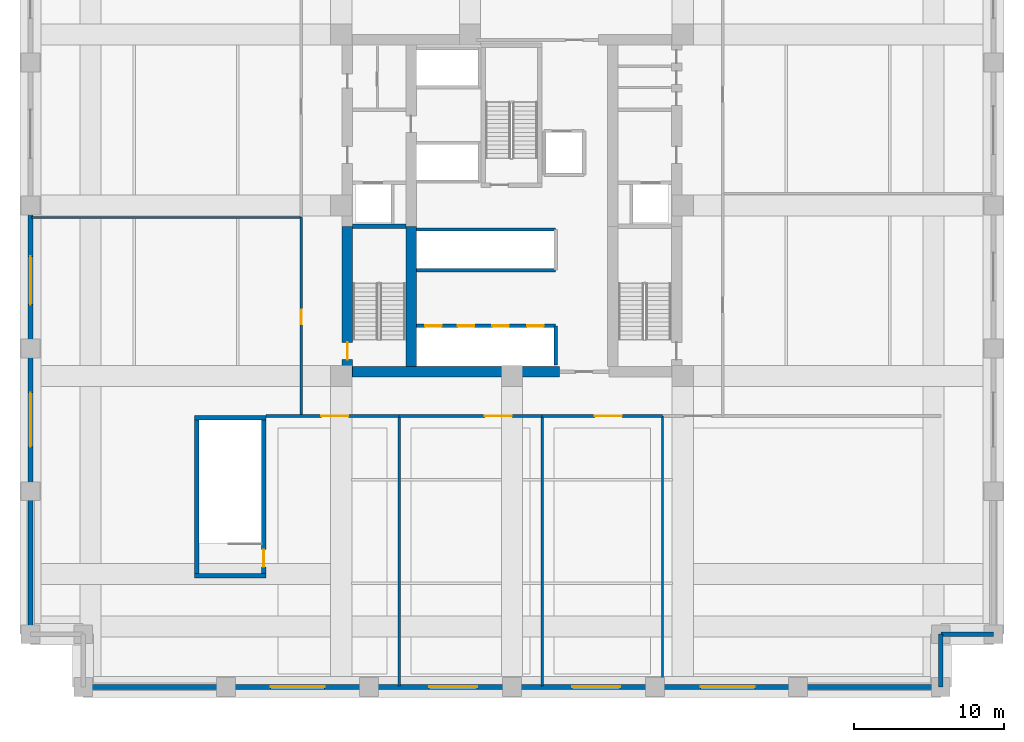
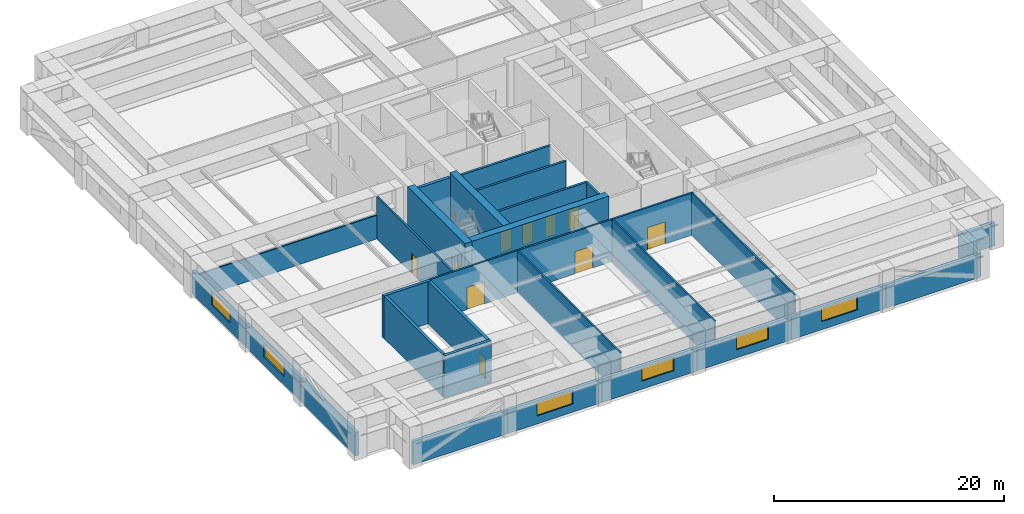
# One storey, part 2 of 8: 31 walls, 10 doors, 6 windows, 16 openings.
"""IFC4 building model written with IfcOpenShell, lengths in metres."""

from ifc_helpers import new_model, si_unit, direction, frame, frame_2d, origin, place, context, subcontext, project, spatial, rectangle, extrude, material, layer, layer_set, type_object, element, fill, save


model = new_model("IFC4")

# Units and contexts
model_context = context("Model", 3, precision=1e-05, world=origin(), true_north=direction((0.0, 1.0)))
body_context = subcontext(model_context, "Body", "Model", "MODEL_VIEW")
ifc_project = project(units=[si_unit("LENGTHUNIT", "METRE"), si_unit("AREAUNIT", "SQUARE_METRE"), si_unit("VOLUMEUNIT", "CUBIC_METRE"), si_unit("PLANEANGLEUNIT", "RADIAN"), si_unit("MASSUNIT", "GRAM", prefix="KILO")], contexts=[model_context])

# Site, building, storey
site_placement = place(None, origin())
site = spatial("IfcSite", under=ifc_project, at=site_placement, CompositionType="ELEMENT")
building_placement = place(site_placement, origin())
building = spatial("IfcBuilding", under=site, at=building_placement, Name="Nhamokura Convention Tower", CompositionType="ELEMENT")
storey_placement = place(building_placement, frame((0.0, 0.0, 29.39990234375)))
storey = spatial("IfcBuildingStorey", under=building, at=storey_placement, Name="L05", CompositionType="ELEMENT", Elevation=29.39990234375)

# Wall
ifc_material_1 = material(Name="Bronze-pigmented precast concrete C45/55", Category="concrete")
ifc_layer_1 = layer(ifc_material_1, 0.320068359375)
ifc_layer_set_1 = layer_set([ifc_layer_1], Name="BronzePrecastSpandrel_320")
wall_type_1 = type_object("IfcWallType", Name="BronzePrecastSpandrel_320", PredefinedType="USERDEFINED", material=ifc_layer_set_1)
wall_1_placement = place(storey_placement, frame((13.0, 0.0, 0.0), z_axis=(0.0, 0.0, 1.0), x_axis=(-1.0, 0.0, 0.0)))
element("IfcWall", 1, at=wall_1_placement, inside=storey, type_object=wall_type_1, Name="L05 Braced-Bay Precast Wall SOUTH 0", ObjectType="SPANDREL_WALL", PredefinedType="USERDEFINED", context=body_context, shape_type="SweptSolid", body=[
    extrude(rectangle(XDim=9.5, YDim=0.320068359375, at=frame_2d((4.75, 0.0))), origin(), (0.0, 0.0, 1.0), 2.47998046875),
])

# Wall, opening, window
wall_2_placement = place(storey_placement, frame((22.5, 0.0, 0.0), z_axis=(0.0, 0.0, 1.0), x_axis=(-1.0, 0.0, 0.0)))
wall_2 = element("IfcWall", 2, at=wall_2_placement, inside=storey, type_object=wall_type_1, Name="L05 Masonry-Frame Wall SOUTH 1", ObjectType="SPANDREL_WALL", PredefinedType="USERDEFINED", context=body_context, shape_type="SweptSolid", body=[
    extrude(rectangle(XDim=9.5, YDim=0.320068359375, at=frame_2d((4.75, 0.0))), origin(), (0.0, 0.0, 1.0), 2.47998046875),
])
opening_1_placement = place(wall_2_placement, frame((2.949951171875, 0.0, 0.85009765625)))
opening_1 = element("IfcOpeningElement", 3, at=opening_1_placement, cuts=wall_2, Name="Opening W-01", PredefinedType="OPENING", context=body_context, shape_type="SweptSolid", body=[
    extrude(rectangle(XDim=3.60009765625, YDim=1.429931640625, at=frame_2d((1.800048828125, 0.71484375))), frame((0.0, 0.169921875, 0.0), z_axis=(0.0, -1.0, 0.0), x_axis=(1.0, 0.0, 0.0)), (0.0, 0.0, 1.0), 0.340087890625),
])
ifc_material_2 = material(Name="Solar-control bronze low-E double glass", Category="glass")
window_type_1 = type_object("IfcWindowType", Name="PodiumClerestoryWindow_3600", PartitioningType="TRIPLE_PANEL_VERTICAL", PredefinedType="WINDOW", material=ifc_material_2)
window_1_placement = place(opening_1_placement, origin())
window_1 = element("IfcWindow", 4, at=window_1_placement, inside=storey, type_object=window_type_1, Name="L05 Facade Window SOUTH 1", OverallHeight=1.429931640625, OverallWidth=3.60009765625, PartitioningType="SINGLE_PANEL", PredefinedType="WINDOW", context=body_context, shape_type="SweptSolid", body=[
    extrude(rectangle(XDim=3.60009765625, YDim=1.429931640625, at=frame_2d((1.800048828125, 0.71484375))), frame((0.0, 0.030029296875, 0.0), z_axis=(0.0, -1.0, 0.0), x_axis=(1.0, 0.0, 0.0)), (0.0, 0.0, 1.0), 0.06005859375),
])
fill(opening_1, window_1)

wall_3_placement = place(storey_placement, frame((32.0, 0.0, 0.0), z_axis=(0.0, 0.0, 1.0), x_axis=(-1.0, 0.0, 0.0)))
wall_3 = element("IfcWall", 5, at=wall_3_placement, inside=storey, type_object=wall_type_1, Name="L05 Masonry-Frame Wall SOUTH 2", ObjectType="SPANDREL_WALL", PredefinedType="USERDEFINED", context=body_context, shape_type="SweptSolid", body=[
    extrude(rectangle(XDim=9.5, YDim=0.320068359375, at=frame_2d((4.75, 0.0))), origin(), (0.0, 0.0, 1.0), 2.47998046875),
])
opening_2_placement = place(wall_3_placement, frame((2.31005859375, 0.0, 0.85009765625)))
opening_2 = element("IfcOpeningElement", 6, at=opening_2_placement, cuts=wall_3, Name="Opening W-02", PredefinedType="OPENING", context=body_context, shape_type="SweptSolid", body=[
    extrude(rectangle(XDim=3.199951171875, YDim=1.429931640625, at=frame_2d((1.60009765625, 0.71484375))), frame((0.0, 0.169921875, 0.0), z_axis=(0.0, -1.0, 0.0), x_axis=(1.0, 0.0, 0.0)), (0.0, 0.0, 1.0), 0.340087890625),
])
ifc_material_3 = material(Name="Solar-control bronze low-E double glass", Category="glass")
window_type_2 = type_object("IfcWindowType", Name="ConventionFoyerWindow_3200", PartitioningType="DOUBLE_PANEL_VERTICAL", PredefinedType="WINDOW", material=ifc_material_3)
window_2_placement = place(opening_2_placement, origin())
window_2 = element("IfcWindow", 7, at=window_2_placement, inside=storey, type_object=window_type_2, Name="L05 Facade Window SOUTH 2-1", OverallHeight=1.429931640625, OverallWidth=3.199951171875, PartitioningType="SINGLE_PANEL", PredefinedType="WINDOW", context=body_context, shape_type="SweptSolid", body=[
    extrude(rectangle(XDim=3.199951171875, YDim=1.429931640625, at=frame_2d((1.60009765625, 0.71484375))), frame((0.0, 0.030029296875, 0.0), z_axis=(0.0, -1.0, 0.0), x_axis=(1.0, 0.0, 0.0)), (0.0, 0.0, 1.0), 0.06005859375),
])
fill(opening_2, window_2)

wall_4_placement = place(storey_placement, frame((41.5, 0.0, 0.0), z_axis=(0.0, 0.0, 1.0), x_axis=(-1.0, 0.0, 0.0)))
wall_4 = element("IfcWall", 8, at=wall_4_placement, inside=storey, type_object=wall_type_1, Name="L05 Masonry-Frame Wall SOUTH 3", ObjectType="SPANDREL_WALL", PredefinedType="USERDEFINED", context=body_context, shape_type="SweptSolid", body=[
    extrude(rectangle(XDim=9.5, YDim=0.320068359375, at=frame_2d((4.75, 0.0))), origin(), (0.0, 0.0, 1.0), 2.47998046875),
])
opening_3_placement = place(wall_4_placement, frame((2.31005859375, 0.0, 0.85009765625)))
opening_3 = element("IfcOpeningElement", 9, at=opening_3_placement, cuts=wall_4, Name="Opening W-02", PredefinedType="OPENING", context=body_context, shape_type="SweptSolid", body=[
    extrude(rectangle(XDim=3.199951171875, YDim=1.429931640625, at=frame_2d((1.60009765625, 0.71484375))), frame((0.0, 0.169921875, 0.0), z_axis=(0.0, -1.0, 0.0), x_axis=(1.0, 0.0, 0.0)), (0.0, 0.0, 1.0), 0.340087890625),
])
window_3_placement = place(opening_3_placement, origin())
window_3 = element("IfcWindow", 10, at=window_3_placement, inside=storey, type_object=window_type_2, Name="L05 Facade Window SOUTH 3-1", OverallHeight=1.429931640625, OverallWidth=3.199951171875, PartitioningType="SINGLE_PANEL", PredefinedType="WINDOW", context=body_context, shape_type="SweptSolid", body=[
    extrude(rectangle(XDim=3.199951171875, YDim=1.429931640625, at=frame_2d((1.60009765625, 0.71484375))), frame((0.0, 0.030029296875, 0.0), z_axis=(0.0, -1.0, 0.0), x_axis=(1.0, 0.0, 0.0)), (0.0, 0.0, 1.0), 0.06005859375),
])
fill(opening_3, window_3)

wall_5_placement = place(storey_placement, frame((51.0, 0.0, 0.0), z_axis=(0.0, 0.0, 1.0), x_axis=(-1.0, 0.0, 0.0)))
wall_5 = element("IfcWall", 11, at=wall_5_placement, inside=storey, type_object=wall_type_1, Name="L05 Masonry-Frame Wall SOUTH 4", ObjectType="SPANDREL_WALL", PredefinedType="USERDEFINED", context=body_context, shape_type="SweptSolid", body=[
    extrude(rectangle(XDim=9.5, YDim=0.320068359375, at=frame_2d((4.75, 0.0))), origin(), (0.0, 0.0, 1.0), 2.47998046875),
])
opening_4_placement = place(wall_5_placement, frame((2.860107421875, 0.0, 0.85009765625)))
opening_4 = element("IfcOpeningElement", 12, at=opening_4_placement, cuts=wall_5, Name="Opening W-01", PredefinedType="OPENING", context=body_context, shape_type="SweptSolid", body=[
    extrude(rectangle(XDim=3.60009765625, YDim=1.429931640625, at=frame_2d((1.800048828125, 0.71484375))), frame((0.0, 0.169921875, 0.0), z_axis=(0.0, -1.0, 0.0), x_axis=(1.0, 0.0, 0.0)), (0.0, 0.0, 1.0), 0.340087890625),
])
window_4_placement = place(opening_4_placement, origin())
window_4 = element("IfcWindow", 13, at=window_4_placement, inside=storey, type_object=window_type_1, Name="L05 Facade Window SOUTH 4", OverallHeight=1.429931640625, OverallWidth=3.60009765625, PartitioningType="SINGLE_PANEL", PredefinedType="WINDOW", context=body_context, shape_type="SweptSolid", body=[
    extrude(rectangle(XDim=3.60009765625, YDim=1.429931640625, at=frame_2d((1.800048828125, 0.71484375))), frame((0.0, 0.030029296875, 0.0), z_axis=(0.0, -1.0, 0.0), x_axis=(1.0, 0.0, 0.0)), (0.0, 0.0, 1.0), 0.06005859375),
])
fill(opening_4, window_4)

# Walls
for number, where, z_axis, x_axis, name in (
    (14, (60.5, 0.0, 0.0), (0.0, 0.0, 1.0), (-1.0, 0.0, 0.0), "L05 Braced-Bay Precast Wall SOUTH 5"),
    (15, (0.0, 3.5, 0.0), (0.0, 0.0, 1.0), (0.0, 1.0, 0.0), "L05 Braced-Bay Precast Wall WEST 0"),
):
    element("IfcWall", number, at=place(storey_placement, frame(where, z_axis=z_axis, x_axis=x_axis)), inside=storey, type_object=wall_type_1, Name=name, ObjectType="SPANDREL_WALL", PredefinedType="USERDEFINED", context=body_context, shape_type="SweptSolid", body=[
        extrude(rectangle(XDim=9.5, YDim=0.320068359375, at=frame_2d((4.75, 0.0))), origin(), (0.0, 0.0, 1.0), 2.47998046875),
    ])

# Wall, opening, window
wall_6_placement = place(storey_placement, frame((0.0, 13.0, 0.0), z_axis=(0.0, 0.0, 1.0), x_axis=(0.0, 1.0, 0.0)))
wall_6 = element("IfcWall", 16, at=wall_6_placement, inside=storey, type_object=wall_type_1, Name="L05 Masonry-Frame Wall WEST 1", ObjectType="SPANDREL_WALL", PredefinedType="USERDEFINED", context=body_context, shape_type="SweptSolid", body=[
    extrude(rectangle(XDim=9.5, YDim=0.320068359375, at=frame_2d((4.75, 0.0))), origin(), (0.0, 0.0, 1.0), 2.47998046875),
])
opening_5_placement = place(wall_6_placement, frame((2.949951171875, 0.0, 0.85009765625)))
opening_5 = element("IfcOpeningElement", 17, at=opening_5_placement, cuts=wall_6, Name="Opening W-01", PredefinedType="OPENING", context=body_context, shape_type="SweptSolid", body=[
    extrude(rectangle(XDim=3.60009765625, YDim=1.429931640625, at=frame_2d((1.800048828125, 0.71484375))), frame((0.0, 0.169921875, 0.0), z_axis=(0.0, -1.0, 0.0), x_axis=(1.0, 0.0, 0.0)), (0.0, 0.0, 1.0), 0.340087890625),
])
window_5_placement = place(opening_5_placement, origin())
window_5 = element("IfcWindow", 18, at=window_5_placement, inside=storey, type_object=window_type_1, Name="L05 Facade Window WEST 1", OverallHeight=1.429931640625, OverallWidth=3.60009765625, PartitioningType="SINGLE_PANEL", PredefinedType="WINDOW", context=body_context, shape_type="SweptSolid", body=[
    extrude(rectangle(XDim=3.60009765625, YDim=1.429931640625, at=frame_2d((1.800048828125, 0.71484375))), frame((0.0, 0.030029296875, 0.0), z_axis=(0.0, -1.0, 0.0), x_axis=(1.0, 0.0, 0.0)), (0.0, 0.0, 1.0), 0.06005859375),
])
fill(opening_5, window_5)

wall_7_placement = place(storey_placement, frame((0.0, 22.5, 0.0), z_axis=(0.0, 0.0, 1.0), x_axis=(0.0, 1.0, 0.0)))
wall_7 = element("IfcWall", 19, at=wall_7_placement, inside=storey, type_object=wall_type_1, Name="L05 Masonry-Frame Wall WEST 2", ObjectType="SPANDREL_WALL", PredefinedType="USERDEFINED", context=body_context, shape_type="SweptSolid", body=[
    extrude(rectangle(XDim=9.5, YDim=0.320068359375, at=frame_2d((4.75, 0.0))), origin(), (0.0, 0.0, 1.0), 2.47998046875),
])
opening_6_placement = place(wall_7_placement, frame((2.91259765625, 0.0, 0.85009765625)))
opening_6 = element("IfcOpeningElement", 20, at=opening_6_placement, cuts=wall_7, Name="Opening W-02", PredefinedType="OPENING", context=body_context, shape_type="SweptSolid", body=[
    extrude(rectangle(XDim=3.199951171875, YDim=1.429931640625, at=frame_2d((1.60009765625, 0.71484375))), frame((0.0, 0.169921875, 0.0), z_axis=(0.0, -1.0, 0.0), x_axis=(1.0, 0.0, 0.0)), (0.0, 0.0, 1.0), 0.340087890625),
])
window_6_placement = place(opening_6_placement, origin())
window_6 = element("IfcWindow", 21, at=window_6_placement, inside=storey, type_object=window_type_2, Name="L05 Facade Window WEST 2", OverallHeight=1.429931640625, OverallWidth=3.199951171875, PartitioningType="SINGLE_PANEL", PredefinedType="WINDOW", context=body_context, shape_type="SweptSolid", body=[
    extrude(rectangle(XDim=3.199951171875, YDim=1.429931640625, at=frame_2d((1.60009765625, 0.71484375))), frame((0.0, 0.030029296875, 0.0), z_axis=(0.0, -1.0, 0.0), x_axis=(1.0, 0.0, 0.0)), (0.0, 0.0, 1.0), 0.06005859375),
])
fill(opening_6, window_6)

# Walls
for number, where, z_axis, x_axis, name in (
    (22, (60.5, 3.5, 0.0), (0.0, 0.0, 1.0), (0.0, -1.0, 0.0), "L05 Notched Corner Wall SE1"),
    (23, (64.0, 3.5, 0.0), (0.0, 0.0, 1.0), (-1.0, 0.0, 0.0), "L05 Notched Corner Wall SE2"),
):
    element("IfcWall", number, at=place(storey_placement, frame(where, z_axis=z_axis, x_axis=x_axis)), inside=storey, type_object=wall_type_1, Name=name, ObjectType="SPANDREL_WALL", PredefinedType="USERDEFINED", context=body_context, shape_type="SweptSolid", body=[
        extrude(rectangle(XDim=3.5, YDim=0.320068359375, at=frame_2d((1.75, 0.0))), origin(), (0.0, 0.0, 1.0), 2.47998046875),
    ])

# Wall, opening, door
ifc_material_4 = material(Name="Concrete C70/85", Category="concrete")
ifc_layer_2 = layer(ifc_material_4, 0.699951171875)
ifc_layer_set_2 = layer_set([ifc_layer_2], Name="CoreShearWall_700")
wall_type_2 = type_object("IfcWallType", Name="CoreShearWall_700", PredefinedType="SHEAR", material=ifc_layer_set_2)
wall_8_placement = place(storey_placement, frame((21.06005859375, 20.60009765625, 0.0), z_axis=(0.0, 0.0, 1.0), x_axis=(0.0, 1.0, 0.0)))
wall_8 = element("IfcWall", 24, at=wall_8_placement, inside=storey, type_object=wall_type_2, Name="L05 Core Shear Wall CW-WS", PredefinedType="SHEAR", context=body_context, shape_type="SweptSolid", body=[
    extrude(rectangle(XDim=10.0, YDim=0.699951171875, at=frame_2d((5.0, 0.0))), origin(), (0.0, 0.0, 1.0), 4.900146484375),
])
opening_7_placement = place(wall_8_placement, frame((1.14990234375, 0.0, 0.0)))
opening_7 = element("IfcOpeningElement", 25, at=opening_7_placement, cuts=wall_8, Name="Opening D-04", PredefinedType="OPENING", context=body_context, shape_type="SweptSolid", body=[
    extrude(rectangle(XDim=1.14990234375, YDim=2.14990234375, at=frame_2d((0.574951171875, 1.074951171875))), frame((0.0, 0.35986328125, 0.0), z_axis=(0.0, -1.0, 0.0), x_axis=(1.0, 0.0, 0.0)), (0.0, 0.0, 1.0), 0.719970703125),
])
ifc_material_5 = material(Name="Fire-rated steel door", Category="steel")
door_type_1 = type_object("IfcDoorType", Name="StairSmokeDoor_1150", OperationType="NOTDEFINED", PredefinedType="DOOR", material=ifc_material_5)
door_1_placement = place(opening_7_placement, origin())
door_1 = element("IfcDoor", 26, at=door_1_placement, inside=storey, type_object=door_type_1, Name="L05 Core Door INT-L05-D-ST01", OperationType="SINGLE_SWING_LEFT", OverallHeight=2.14990234375, OverallWidth=1.14990234375, PredefinedType="DOOR", context=body_context, shape_type="SweptSolid", body=[
    extrude(rectangle(XDim=1.14990234375, YDim=2.14990234375, at=frame_2d((0.574951171875, 1.074951171875))), frame((0.0, 0.02490234375, 0.0), z_axis=(0.0, -1.0, 0.0), x_axis=(1.0, 0.0, 0.0)), (0.0, 0.0, 1.0), 0.050048828125),
])
fill(opening_7, door_1)

# Walls
wall_9_placement = place(storey_placement, frame((21.409912109375, 20.949951171875, 0.0), z_axis=(0.0, 0.0, 1.0), x_axis=(1.0, 0.0, 0.0)))
element("IfcWall", 27, at=wall_9_placement, inside=storey, type_object=wall_type_2, Name="L05 Core Shear Wall CW-S1", PredefinedType="SHEAR", context=body_context, shape_type="SweptSolid", body=[
    extrude(rectangle(XDim=13.739990234375, YDim=0.699951171875, at=frame_2d((6.8701171875, 0.0))), origin(), (0.0, 0.0, 1.0), 4.900146484375),
])
wall_10_placement = place(storey_placement, frame((25.2900390625, 21.300048828125, 0.0), z_axis=(0.0, 0.0, 1.0), x_axis=(0.0, 1.0, 0.0)))
element("IfcWall", 28, at=wall_10_placement, inside=storey, type_object=wall_type_2, Name="L05 Core Shear Wall CW-IWS", PredefinedType="SHEAR", context=body_context, shape_type="SweptSolid", body=[
    extrude(rectangle(XDim=9.300048828125, YDim=0.699951171875, at=frame_2d((4.64990234375, 0.0))), origin(), (0.0, 0.0, 1.0), 4.900146484375),
])

# Wall, opening, door
ifc_material_6 = material(Name="Fire-rated gypsum and masonry partition", Category="masonry")
ifc_layer_3 = layer(ifc_material_6, 0.179931640625)
ifc_layer_set_3 = layer_set([ifc_layer_3], Name="CorridorRatedWall_180")
wall_type_3 = type_object("IfcWallType", Name="CorridorRatedWall_180", PredefinedType="STANDARD", material=ifc_layer_set_3)
wall_11_placement = place(storey_placement, frame((15.64990234375, 18.0, 0.0), z_axis=(0.0, 0.0, 1.0), x_axis=(1.0, 0.0, 0.0)))
wall_11 = element("IfcWall", 29, at=wall_11_placement, inside=storey, type_object=wall_type_3, Name="L05 Wall INT-L05-CW-S00", PredefinedType="STANDARD", context=body_context, shape_type="SweptSolid", body=[
    extrude(rectangle(XDim=8.85009765625, YDim=0.179931640625, at=frame_2d((4.425048828125, 0.0))), origin(), (0.0, 0.0, 1.0), 4.47998046875),
])
opening_8_placement = place(wall_11_placement, frame((3.675048828125, 0.0, 0.0)))
opening_8 = element("IfcOpeningElement", 30, at=opening_8_placement, cuts=wall_11, Name="Opening D-03", PredefinedType="OPENING", context=body_context, shape_type="SweptSolid", body=[
    extrude(rectangle(XDim=1.800048828125, YDim=2.35009765625, at=frame_2d((0.89990234375, 1.175048828125))), frame((0.0, 0.099853515625, 0.0), z_axis=(0.0, -1.0, 0.0), x_axis=(1.0, 0.0, 0.0)), (0.0, 0.0, 1.0), 0.199951171875),
])
ifc_material_7 = material(Name="Solid oak hardwood", Category="wood")
door_type_2 = type_object("IfcDoorType", Name="BallroomDoubleDoor_1800", OperationType="DOUBLE_DOOR_SINGLE_SWING", PredefinedType="DOOR", material=ifc_material_7)
door_2_placement = place(opening_8_placement, origin())
door_2 = element("IfcDoor", 31, at=door_2_placement, inside=storey, type_object=door_type_2, Name="L05 Symposium Hall S01 Door", OperationType="SINGLE_SWING_LEFT", OverallHeight=2.35009765625, OverallWidth=1.800048828125, PredefinedType="DOOR", context=body_context, shape_type="SweptSolid", body=[
    extrude(rectangle(XDim=1.800048828125, YDim=2.35009765625, at=frame_2d((0.89990234375, 1.175048828125))), frame((0.0, 0.02490234375, 0.0), z_axis=(0.0, -1.0, 0.0), x_axis=(1.0, 0.0, 0.0)), (0.0, 0.0, 1.0), 0.050048828125),
])
fill(opening_8, door_2)

wall_12_placement = place(storey_placement, frame((24.5, 18.0, 0.0), z_axis=(0.0, 0.0, 1.0), x_axis=(1.0, 0.0, 0.0)))
wall_12 = element("IfcWall", 32, at=wall_12_placement, inside=storey, type_object=wall_type_3, Name="L05 Wall INT-L05-CW-S01", PredefinedType="STANDARD", context=body_context, shape_type="SweptSolid", body=[
    extrude(rectangle(XDim=9.5, YDim=0.179931640625, at=frame_2d((4.75, 0.0))), origin(), (0.0, 0.0, 1.0), 4.47998046875),
])
opening_9_placement = place(wall_12_placement, frame((5.699951171875, 0.0, 0.0)))
opening_9 = element("IfcOpeningElement", 33, at=opening_9_placement, cuts=wall_12, Name="Opening D-03", PredefinedType="OPENING", context=body_context, shape_type="SweptSolid", body=[
    extrude(rectangle(XDim=1.800048828125, YDim=2.35009765625, at=frame_2d((0.89990234375, 1.175048828125))), frame((0.0, 0.099853515625, 0.0), z_axis=(0.0, -1.0, 0.0), x_axis=(1.0, 0.0, 0.0)), (0.0, 0.0, 1.0), 0.199951171875),
])
door_3_placement = place(opening_9_placement, origin())
door_3 = element("IfcDoor", 34, at=door_3_placement, inside=storey, type_object=door_type_2, Name="L05 Breakout Room S02 Door", OperationType="SINGLE_SWING_RIGHT", OverallHeight=2.35009765625, OverallWidth=1.800048828125, PredefinedType="DOOR", context=body_context, shape_type="SweptSolid", body=[
    extrude(rectangle(XDim=1.800048828125, YDim=2.35009765625, at=frame_2d((0.89990234375, 1.175048828125))), frame((0.0, 0.02490234375, 0.0), z_axis=(0.0, -1.0, 0.0), x_axis=(1.0, 0.0, 0.0)), (0.0, 0.0, 1.0), 0.050048828125),
])
fill(opening_9, door_3)

wall_13_placement = place(storey_placement, frame((34.0, 18.0, 0.0), z_axis=(0.0, 0.0, 1.0), x_axis=(1.0, 0.0, 0.0)))
wall_13 = element("IfcWall", 35, at=wall_13_placement, inside=storey, type_object=wall_type_3, Name="L05 Wall INT-L05-CW-S02", PredefinedType="STANDARD", context=body_context, shape_type="SweptSolid", body=[
    extrude(rectangle(XDim=8.0, YDim=0.179931640625, at=frame_2d((4.0, 0.0))), origin(), (0.0, 0.0, 1.0), 4.47998046875),
])
opening_10_placement = place(wall_13_placement, frame((3.5, 0.0, 0.0)))
opening_10 = element("IfcOpeningElement", 36, at=opening_10_placement, cuts=wall_13, Name="Opening D-03", PredefinedType="OPENING", context=body_context, shape_type="SweptSolid", body=[
    extrude(rectangle(XDim=1.800048828125, YDim=2.35009765625, at=frame_2d((0.89990234375, 1.175048828125))), frame((0.0, 0.099853515625, 0.0), z_axis=(0.0, -1.0, 0.0), x_axis=(1.0, 0.0, 0.0)), (0.0, 0.0, 1.0), 0.199951171875),
])
door_4_placement = place(opening_10_placement, origin())
door_4 = element("IfcDoor", 37, at=door_4_placement, inside=storey, type_object=door_type_2, Name="L05 Delegate Lounge S03 Door", OperationType="SINGLE_SWING_LEFT", OverallHeight=2.35009765625, OverallWidth=1.800048828125, PredefinedType="DOOR", context=body_context, shape_type="SweptSolid", body=[
    extrude(rectangle(XDim=1.800048828125, YDim=2.35009765625, at=frame_2d((0.89990234375, 1.175048828125))), frame((0.0, 0.02490234375, 0.0), z_axis=(0.0, -1.0, 0.0), x_axis=(1.0, 0.0, 0.0)), (0.0, 0.0, 1.0), 0.050048828125),
])
fill(opening_10, door_4)

wall_14_placement = place(storey_placement, frame((18.0, 18.0, 0.0), z_axis=(0.0, 0.0, 1.0), x_axis=(0.0, 1.0, 0.0)))
wall_14 = element("IfcWall", 38, at=wall_14_placement, inside=storey, type_object=wall_type_3, Name="L05 Wall INT-L05-CW-W00", PredefinedType="STANDARD", context=body_context, shape_type="SweptSolid", body=[
    extrude(rectangle(XDim=13.199951171875, YDim=0.179931640625, at=frame_2d((6.60009765625, 0.0))), origin(), (0.0, 0.0, 1.0), 4.47998046875),
])
opening_11_placement = place(wall_14_placement, frame((6.10009765625, 0.0, 0.0)))
opening_11 = element("IfcOpeningElement", 39, at=opening_11_placement, cuts=wall_14, Name="Opening D-09", PredefinedType="OPENING", context=body_context, shape_type="SweptSolid", body=[
    extrude(rectangle(XDim=0.949951171875, YDim=2.14990234375, at=frame_2d((0.47509765625, 1.074951171875))), frame((0.0, 0.099853515625, 0.0), z_axis=(0.0, -1.0, 0.0), x_axis=(1.0, 0.0, 0.0)), (0.0, 0.0, 1.0), 0.199951171875),
])
ifc_material_8 = material(Name="Solid oak hardwood", Category="wood")
door_type_3 = type_object("IfcDoorType", Name="MeetingRoomDoor_950", OperationType="NOTDEFINED", PredefinedType="DOOR", material=ifc_material_8)
door_5_placement = place(opening_11_placement, origin())
door_5 = element("IfcDoor", 40, at=door_5_placement, inside=storey, type_object=door_type_3, Name="L05 Private Office W01 Door", OperationType="SINGLE_SWING_LEFT", OverallHeight=2.14990234375, OverallWidth=0.949951171875, PredefinedType="DOOR", context=body_context, shape_type="SweptSolid", body=[
    extrude(rectangle(XDim=0.949951171875, YDim=2.14990234375, at=frame_2d((0.47509765625, 1.074951171875))), frame((0.0, 0.02490234375, 0.0), z_axis=(0.0, -1.0, 0.0), x_axis=(1.0, 0.0, 0.0)), (0.0, 0.0, 1.0), 0.050048828125),
])
fill(opening_11, door_5)

# Wall, openings, doors
ifc_material_9 = material(Name="Autoclaved concrete blockwork", Category="masonry")
ifc_layer_4 = layer(ifc_material_9, 0.219970703125)
ifc_layer_set_4 = layer_set([ifc_layer_4], Name="FireLobbyWall_220")
wall_type_4 = type_object("IfcWallType", Name="FireLobbyWall_220", PredefinedType="STANDARD", material=ifc_layer_set_4)
wall_15_placement = place(storey_placement, frame((25.64990234375, 24.0, 0.0), z_axis=(0.0, 0.0, 1.0), x_axis=(1.0, 0.0, 0.0)))
wall_15 = element("IfcWall", 41, at=wall_15_placement, inside=storey, type_object=wall_type_4, Name="L05 Wall INT-L05-B1N", PredefinedType="STANDARD", context=body_context, shape_type="SweptSolid", body=[
    extrude(rectangle(XDim=9.25, YDim=0.219970703125, at=frame_2d((4.625, 0.0))), origin(), (0.0, 0.0, 1.0), 4.47998046875),
])
opening_12_placement = place(wall_15_placement, frame((0.580078125, 0.0, 0.0)))
opening_12 = element("IfcOpeningElement", 42, at=opening_12_placement, cuts=wall_15, Name="Opening LD-01", PredefinedType="OPENING", context=body_context, shape_type="SweptSolid", body=[
    extrude(rectangle(XDim=1.10009765625, YDim=2.14990234375, at=frame_2d((0.550048828125, 1.074951171875))), frame((0.0, 0.119873046875, 0.0), z_axis=(0.0, -1.0, 0.0), x_axis=(1.0, 0.0, 0.0)), (0.0, 0.0, 1.0), 0.239990234375),
])
opening_13_placement = place(wall_15_placement, frame((2.75, 0.0, 0.0)))
opening_13 = element("IfcOpeningElement", 43, at=opening_13_placement, cuts=wall_15, Name="Opening LD-01", PredefinedType="OPENING", context=body_context, shape_type="SweptSolid", body=[
    extrude(rectangle(XDim=1.10009765625, YDim=2.14990234375, at=frame_2d((0.550048828125, 1.074951171875))), frame((0.0, 0.119873046875, 0.0), z_axis=(0.0, -1.0, 0.0), x_axis=(1.0, 0.0, 0.0)), (0.0, 0.0, 1.0), 0.239990234375),
])
opening_14_placement = place(wall_15_placement, frame((5.050048828125, 0.0, 0.0)))
opening_14 = element("IfcOpeningElement", 44, at=opening_14_placement, cuts=wall_15, Name="Opening LD-01", PredefinedType="OPENING", context=body_context, shape_type="SweptSolid", body=[
    extrude(rectangle(XDim=1.10009765625, YDim=2.14990234375, at=frame_2d((0.550048828125, 1.074951171875))), frame((0.0, 0.119873046875, 0.0), z_axis=(0.0, -1.0, 0.0), x_axis=(1.0, 0.0, 0.0)), (0.0, 0.0, 1.0), 0.239990234375),
])
opening_15_placement = place(wall_15_placement, frame((7.35009765625, 0.0, 0.0)))
opening_15 = element("IfcOpeningElement", 45, at=opening_15_placement, cuts=wall_15, Name="Opening LD-01", PredefinedType="OPENING", context=body_context, shape_type="SweptSolid", body=[
    extrude(rectangle(XDim=1.10009765625, YDim=2.14990234375, at=frame_2d((0.550048828125, 1.074951171875))), frame((0.0, 0.119873046875, 0.0), z_axis=(0.0, -1.0, 0.0), x_axis=(1.0, 0.0, 0.0)), (0.0, 0.0, 1.0), 0.239990234375),
])
ifc_material_10 = material(Name="Anodised bronze stainless steel", Category="steel")
door_type_4 = type_object("IfcDoorType", Name="LiftLandingDoor_Passenger", OperationType="DOUBLE_DOOR_SLIDING", PredefinedType="DOOR", material=ifc_material_10)
door_6_placement = place(opening_12_placement, origin())
door_6 = element("IfcDoor", 46, at=door_6_placement, inside=storey, type_object=door_type_4, Name="L05 Lift LP-01 Landing Door", OperationType="DOUBLE_DOOR_SLIDING", OverallHeight=2.14990234375, OverallWidth=1.10009765625, PredefinedType="DOOR", context=body_context, shape_type="SweptSolid", body=[
    extrude(rectangle(XDim=1.10009765625, YDim=2.14990234375, at=frame_2d((0.550048828125, 1.074951171875))), frame((0.0, 0.02490234375, 0.0), z_axis=(0.0, -1.0, 0.0), x_axis=(1.0, 0.0, 0.0)), (0.0, 0.0, 1.0), 0.050048828125),
])
fill(opening_12, door_6)
door_7_placement = place(opening_13_placement, origin())
door_7 = element("IfcDoor", 47, at=door_7_placement, inside=storey, type_object=door_type_4, Name="L05 Lift LP-02 Landing Door", OperationType="DOUBLE_DOOR_SLIDING", OverallHeight=2.14990234375, OverallWidth=1.10009765625, PredefinedType="DOOR", context=body_context, shape_type="SweptSolid", body=[
    extrude(rectangle(XDim=1.10009765625, YDim=2.14990234375, at=frame_2d((0.550048828125, 1.074951171875))), frame((0.0, 0.02490234375, 0.0), z_axis=(0.0, -1.0, 0.0), x_axis=(1.0, 0.0, 0.0)), (0.0, 0.0, 1.0), 0.050048828125),
])
fill(opening_13, door_7)
door_8_placement = place(opening_14_placement, origin())
door_8 = element("IfcDoor", 48, at=door_8_placement, inside=storey, type_object=door_type_4, Name="L05 Lift LP-03 Landing Door", OperationType="DOUBLE_DOOR_SLIDING", OverallHeight=2.14990234375, OverallWidth=1.10009765625, PredefinedType="DOOR", context=body_context, shape_type="SweptSolid", body=[
    extrude(rectangle(XDim=1.10009765625, YDim=2.14990234375, at=frame_2d((0.550048828125, 1.074951171875))), frame((0.0, 0.02490234375, 0.0), z_axis=(0.0, -1.0, 0.0), x_axis=(1.0, 0.0, 0.0)), (0.0, 0.0, 1.0), 0.050048828125),
])
fill(opening_14, door_8)
door_9_placement = place(opening_15_placement, origin())
door_9 = element("IfcDoor", 49, at=door_9_placement, inside=storey, type_object=door_type_4, Name="L05 Lift LP-04 Landing Door", OperationType="DOUBLE_DOOR_SLIDING", OverallHeight=2.14990234375, OverallWidth=1.10009765625, PredefinedType="DOOR", context=body_context, shape_type="SweptSolid", body=[
    extrude(rectangle(XDim=1.10009765625, YDim=2.14990234375, at=frame_2d((0.550048828125, 1.074951171875))), frame((0.0, 0.02490234375, 0.0), z_axis=(0.0, -1.0, 0.0), x_axis=(1.0, 0.0, 0.0)), (0.0, 0.0, 1.0), 0.050048828125),
])
fill(opening_15, door_9)

# Walls
wall_16_placement = place(storey_placement, frame((34.89990234375, 21.39990234375, 0.0), z_axis=(0.0, 0.0, 1.0), x_axis=(0.0, 1.0, 0.0)))
element("IfcWall", 50, at=wall_16_placement, inside=storey, type_object=wall_type_4, Name="L05 Wall INT-L05-B1E", PredefinedType="STANDARD", context=body_context, shape_type="SweptSolid", body=[
    extrude(rectangle(XDim=2.60009765625, YDim=0.219970703125, at=frame_2d((1.300048828125, 0.0))), origin(), (0.0, 0.0, 1.0), 4.47998046875),
])
for number, where, z_axis, x_axis, name in (
    (51, (25.64990234375, 27.699951171875, 0.0), (0.0, 0.0, 1.0), (1.0, 0.0, 0.0), "L05 Wall INT-L05-B2S"),
    (52, (25.64990234375, 30.39990234375, 0.0), (0.0, 0.0, 1.0), (1.0, 0.0, 0.0), "L05 Wall INT-L05-B2N"),
):
    element("IfcWall", number, at=place(storey_placement, frame(where, z_axis=z_axis, x_axis=x_axis)), inside=storey, type_object=wall_type_4, Name=name, PredefinedType="STANDARD", context=body_context, shape_type="SweptSolid", body=[
        extrude(rectangle(XDim=9.25, YDim=0.219970703125, at=frame_2d((4.625, 0.0))), origin(), (0.0, 0.0, 1.0), 4.47998046875),
    ])
ifc_material_11 = material(Name="Acoustic gypsum stud partition", Category="masonry")
ifc_layer_5 = layer(ifc_material_11, 0.14990234375)
ifc_layer_set_5 = layer_set([ifc_layer_5], Name="InteriorPartition_150")
wall_type_5 = type_object("IfcWallType", Name="InteriorPartition_150", PredefinedType="STANDARD", material=ifc_layer_set_5)
wall_17_placement = place(storey_placement, frame((0.06005859375, 31.199951171875, 0.0), z_axis=(0.0, 0.0, 1.0), x_axis=(1.0, 0.0, 0.0)))
element("IfcWall", 53, at=wall_17_placement, inside=storey, type_object=wall_type_5, Name="L05 Wall INT-L05-RW-W01", PredefinedType="STANDARD", context=body_context, shape_type="SweptSolid", body=[
    extrude(rectangle(XDim=17.93994140625, YDim=0.14990234375, at=frame_2d((8.969970703125, 0.0))), origin(), (0.0, 0.0, 1.0), 2.508056640625),
])
ifc_material_12 = material(Name="Bronze-framed acoustic operable panel wall", Category="aluminium")
ifc_layer_6 = layer(ifc_material_12, 0.159912109375)
ifc_layer_set_6 = layer_set([ifc_layer_6], Name="OperableAcousticWall_160")
wall_type_6 = type_object("IfcWallType", Name="OperableAcousticWall_160", PredefinedType="MOVABLE", material=ifc_layer_set_6)
for number, where, z_axis, x_axis, name in (
    (54, (24.5, 0.06005859375, 0.0), (0.0, 0.0, 1.0), (0.0, 1.0, 0.0), "L05 Wall INT-L05-RW-S01"),
    (55, (34.0, 0.06005859375, 0.0), (0.0, 0.0, 1.0), (0.0, 1.0, 0.0), "L05 Wall INT-L05-RW-S02"),
    (56, (42.0, 0.06005859375, 0.0), (0.0, 0.0, 1.0), (0.0, 1.0, 0.0), "L05 Wall INT-L05-RW-S03"),
):
    element("IfcWall", number, at=place(storey_placement, frame(where, z_axis=z_axis, x_axis=x_axis)), inside=storey, type_object=wall_type_6, Name=name, PredefinedType="MOVABLE", context=body_context, shape_type="SweptSolid", body=[
        extrude(rectangle(XDim=17.93994140625, YDim=0.159912109375, at=frame_2d((8.969970703125, 0.0))), origin(), (0.0, 0.0, 1.0), 4.47998046875),
    ])
ifc_material_13 = material(Name="Concrete C50/60", Category="concrete")
ifc_layer_7 = layer(ifc_material_13, 0.300048828125)
ifc_layer_set_7 = layer_set([ifc_layer_7], Name="ShaftEnclosureWall_300")
wall_type_7 = type_object("IfcWallType", Name="ShaftEnclosureWall_300", PredefinedType="SHEAR", material=ifc_layer_set_7)
wall_18_placement = place(storey_placement, frame((21.409912109375, 30.60009765625, 0.0), z_axis=(0.0, 0.0, 1.0), x_axis=(1.0, 0.0, 0.0)))
element("IfcWall", 57, at=wall_18_placement, inside=storey, type_object=wall_type_7, Name="L05 Wall INT-L05-ST01-N", PredefinedType="SHEAR", context=body_context, shape_type="SweptSolid", body=[
    extrude(rectangle(XDim=3.530029296875, YDim=0.300048828125, at=frame_2d((1.76513671875, 0.0))), origin(), (0.0, 0.0, 1.0), 4.47998046875),
])
wall_19_placement = place(storey_placement, frame((11.050048828125, 7.39990234375, 0.0), z_axis=(0.0, 0.0, 1.0), x_axis=(0.0, 1.0, 0.0)))
element("IfcWall", 58, at=wall_19_placement, inside=storey, type_object=wall_type_7, Name="L05 Wall INT-L05-ST04-W", PredefinedType="SHEAR", context=body_context, shape_type="SweptSolid", body=[
    extrude(rectangle(XDim=10.5, YDim=0.300048828125, at=frame_2d((5.25, 0.0))), origin(), (0.0, 0.0, 1.0), 4.47998046875),
])

# Wall, opening, door
wall_20_placement = place(storey_placement, frame((15.5, 7.39990234375, 0.0), z_axis=(0.0, 0.0, 1.0), x_axis=(0.0, 1.0, 0.0)))
wall_20 = element("IfcWall", 59, at=wall_20_placement, inside=storey, type_object=wall_type_7, Name="L05 Wall INT-L05-ST04-E", PredefinedType="SHEAR", context=body_context, shape_type="SweptSolid", body=[
    extrude(rectangle(XDim=10.5, YDim=0.300048828125, at=frame_2d((5.25, 0.0))), origin(), (0.0, 0.0, 1.0), 4.47998046875),
])
opening_16_placement = place(wall_20_placement, frame((0.580078125, 0.0, 0.0)))
opening_16 = element("IfcOpeningElement", 60, at=opening_16_placement, cuts=wall_20, Name="Opening D-04", PredefinedType="OPENING", context=body_context, shape_type="SweptSolid", body=[
    extrude(rectangle(XDim=1.14990234375, YDim=2.14990234375, at=frame_2d((0.574951171875, 1.074951171875))), frame((0.0, 0.159912109375, 0.0), z_axis=(0.0, -1.0, 0.0), x_axis=(1.0, 0.0, 0.0)), (0.0, 0.0, 1.0), 0.320068359375),
])
door_10_placement = place(opening_16_placement, origin())
door_10 = element("IfcDoor", 61, at=door_10_placement, inside=storey, type_object=door_type_1, Name="L05 Stair ST-04 Smoke Door", OperationType="SINGLE_SWING_RIGHT", OverallHeight=2.14990234375, OverallWidth=1.14990234375, PredefinedType="DOOR", context=body_context, shape_type="SweptSolid", body=[
    extrude(rectangle(XDim=1.14990234375, YDim=2.14990234375, at=frame_2d((0.574951171875, 1.074951171875))), frame((0.0, 0.02490234375, 0.0), z_axis=(0.0, -1.0, 0.0), x_axis=(1.0, 0.0, 0.0)), (0.0, 0.0, 1.0), 0.050048828125),
])
fill(opening_16, door_10)

# Walls
for number, where, z_axis, x_axis, name in (
    (62, (10.89990234375, 7.39990234375, 0.0), (0.0, 0.0, 1.0), (1.0, 0.0, 0.0), "L05 Wall INT-L05-ST04-S"),
    (63, (10.89990234375, 17.89990234375, 0.0), (0.0, 0.0, 1.0), (1.0, 0.0, 0.0), "L05 Wall INT-L05-ST04-N"),
):
    element("IfcWall", number, at=place(storey_placement, frame(where, z_axis=z_axis, x_axis=x_axis)), inside=storey, type_object=wall_type_7, Name=name, PredefinedType="SHEAR", context=body_context, shape_type="SweptSolid", body=[
        extrude(rectangle(XDim=4.75, YDim=0.300048828125, at=frame_2d((2.375, 0.0))), origin(), (0.0, 0.0, 1.0), 4.47998046875),
    ])

save(model, "model.ifc")
